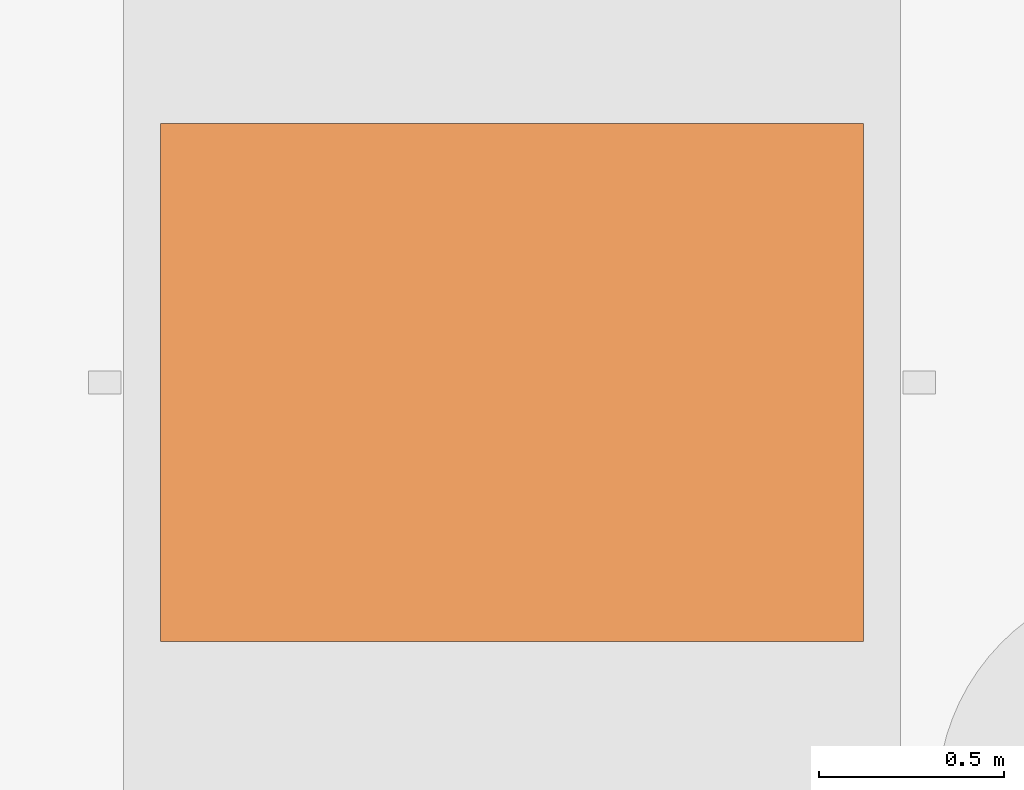
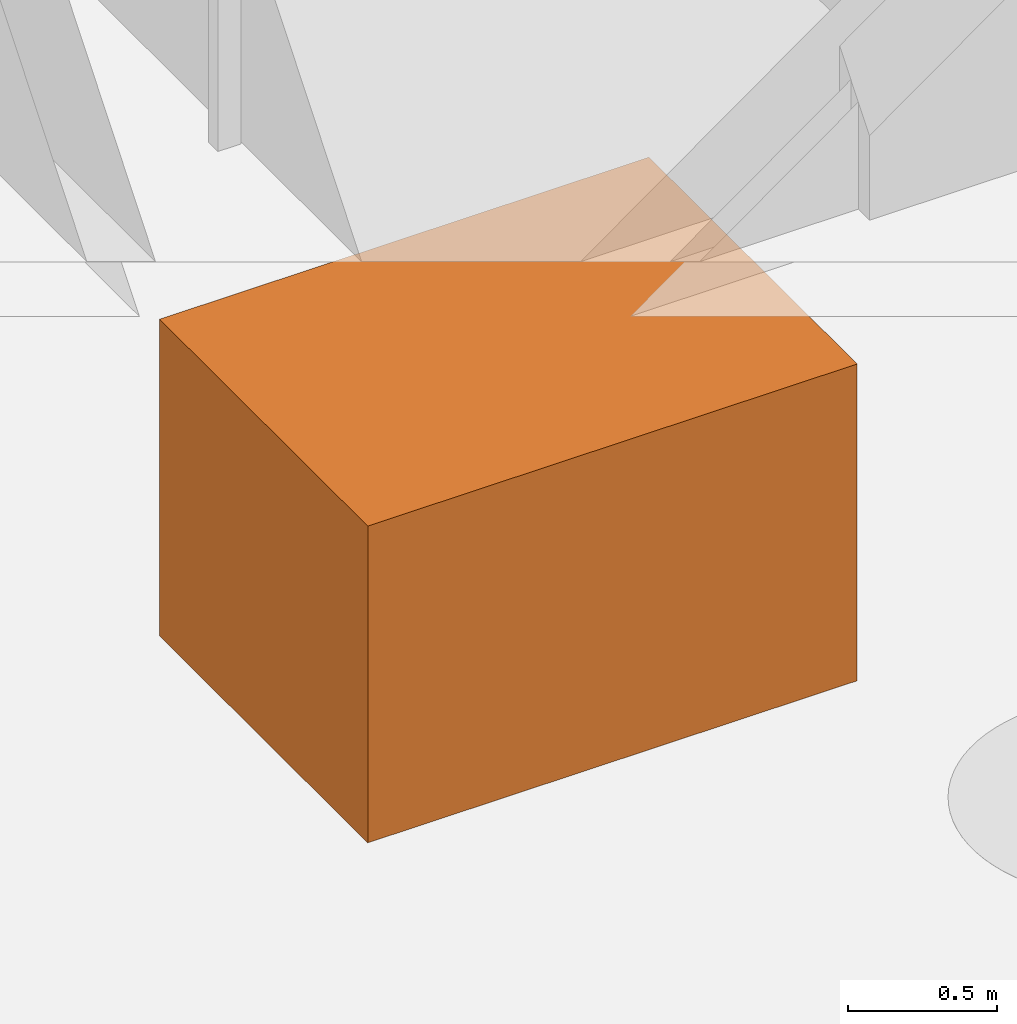
# One storey, part 30 of 30: 1 proxy.
"""IFC4 building model written with IfcOpenShell, lengths in metres."""

from ifc_helpers import new_model, si_unit, direction, frame, origin, origin_2d, place, context, subcontext, project, spatial, rectangle, extrude, material, type_object, element, save


model = new_model("IFC4")

# Units and contexts
model_context = context("Model", 3, precision=1e-05, world=origin(), true_north=direction((0.0, 1.0)))
body_context = subcontext(model_context, "Body", "Model", "MODEL_VIEW")
ifc_project = project(units=[si_unit("LENGTHUNIT", "METRE"), si_unit("AREAUNIT", "SQUARE_METRE"), si_unit("VOLUMEUNIT", "CUBIC_METRE"), si_unit("PLANEANGLEUNIT", "RADIAN"), si_unit("MASSUNIT", "GRAM", prefix="KILO")], contexts=[model_context])

# Site, building, storey
site_placement = place(None, origin())
site = spatial("IfcSite", under=ifc_project, at=site_placement, CompositionType="ELEMENT")
building_placement = place(site_placement, origin())
building = spatial("IfcBuilding", under=site, at=building_placement, Name="Cinnabar Reach Civic Tower", CompositionType="ELEMENT")
storey_placement = place(building_placement, frame((0.0, 0.0, -14.0)))
storey = spatial("IfcBuildingStorey", under=building, at=storey_placement, Name="B3", CompositionType="ELEMENT", Elevation=-14.0)

# Proxy
ifc_material = material(Name="Steel Q355B", Category="steel")
building_element_proxy_type = type_object("IfcBuildingElementProxyType", Name="Lift traction machine", PredefinedType="ELEMENT", material=ifc_material)
proxy_placement = place(storey_placement, frame((-33.25, 28.875, -2.5), z_axis=(0.0, 0.0, 1.0), x_axis=(1.0, 0.0, 0.0)))
element("IfcBuildingElementProxy", 1, at=proxy_placement, inside=storey, type_object=building_element_proxy_type, Name="Lift machine", PredefinedType="ELEMENT", context=body_context, shape_type="SweptSolid", body=[
    extrude(rectangle(XDim=1.9, YDim=1.4, at=origin_2d()), origin(), (0.0, 0.0, 1.0), 1.3),
])

save(model, "model.ifc")
